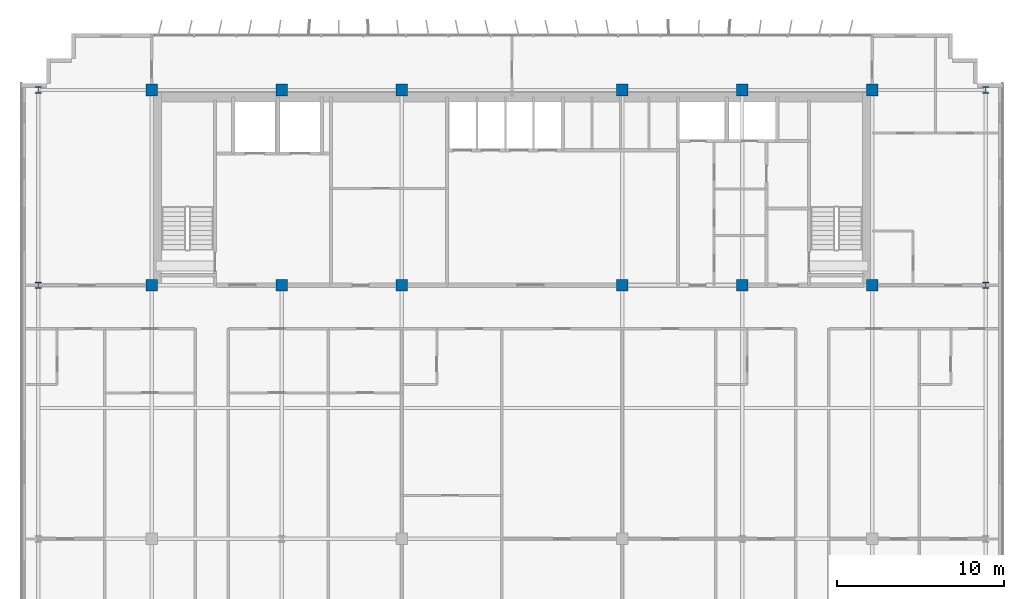
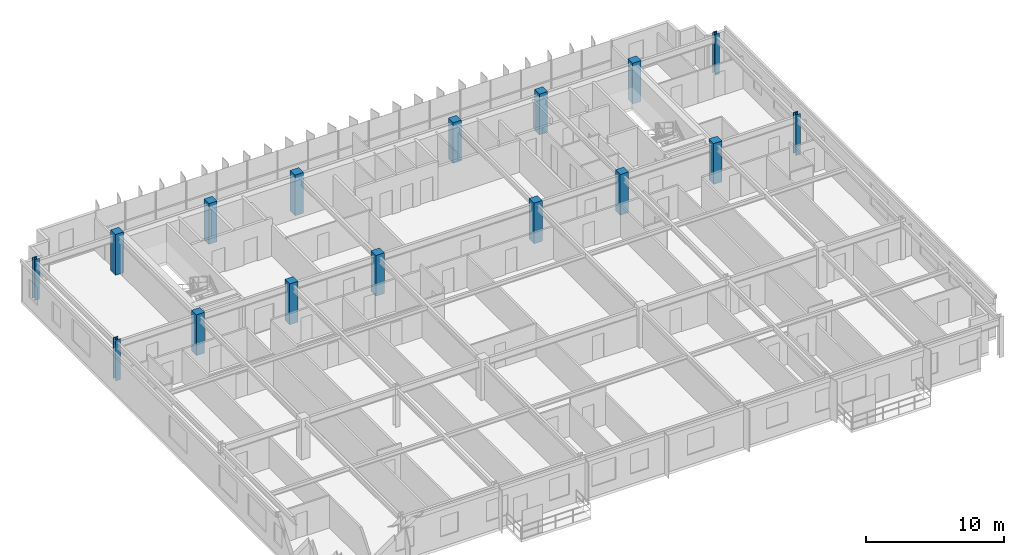
# One storey, part 2 of 21: 16 columns.
"""IFC4 building model written with IfcOpenShell, lengths in metres."""

from ifc_helpers import new_model, si_unit, direction, frame, origin, origin_2d, place, context, subcontext, project, spatial, rectangle, i_section, extrude, source, transform, mapped, material, material_profile, profile_set, type_object, element, save


model = new_model("IFC4")

# Units and contexts
model_context = context("Model", 3, precision=1e-05, world=origin(), true_north=direction((0.0, 1.0)))
body_context = subcontext(model_context, "Body", "Model", "MODEL_VIEW")
ifc_project = project(units=[si_unit("LENGTHUNIT", "METRE"), si_unit("AREAUNIT", "SQUARE_METRE"), si_unit("VOLUMEUNIT", "CUBIC_METRE"), si_unit("PLANEANGLEUNIT", "RADIAN"), si_unit("MASSUNIT", "GRAM", prefix="KILO")], contexts=[model_context])

# Site, building, storey
site_placement = place(None, origin())
site = spatial("IfcSite", under=ifc_project, at=site_placement, CompositionType="ELEMENT")
building_placement = place(site_placement, origin())
building = spatial("IfcBuilding", under=site, at=building_placement, Name="Trelvane Seafront Commons", CompositionType="ELEMENT")
storey_placement = place(building_placement, frame((0.0, 0.0, 153.699951171875)))
storey = spatial("IfcBuildingStorey", under=building, at=storey_placement, Name="L40", CompositionType="ELEMENT", Elevation=153.699951171875)

# Columns
ifc_material_1 = material(Name="Steel SM355 (S355)", Category="steel")
ifc_material_profile_1 = material_profile(ifc_material_1, i_section(OverallWidth=0.3798828125, OverallDepth=0.3798828125, WebThickness=0.02001953125, FlangeThickness=0.030029296875, at=origin_2d()), Name="HD-380x380x20x30")
ifc_profile_set_1 = profile_set([ifc_material_profile_1], Name="Steel SM355 (S355)")
column_type_1 = type_object("IfcColumnType", Name="STR-COL-HD380", PredefinedType="COLUMN", material=ifc_profile_set_1)
shared_shape_1 = source(origin(), body_context, "Body", "SweptSolid", [
    extrude(i_section(OverallWidth=0.3798828125, OverallDepth=0.3798828125, WebThickness=0.02001953125, FlangeThickness=0.030029296875, at=origin_2d()), origin(), (0.0, 0.0, 1.0), 3.60009765625),
])
for number, where, z_axis, x_axis, name in (
    (1, (8.800048828125, 33.39990234375, 0.0), (0.0, 0.0, 1.0), (1.0, 0.0, 0.0), "L40 Column TC-CS8.8"),
    (2, (8.800048828125, 45.10009765625, 0.0), (0.0, 0.0, 1.0), (1.0, 0.0, 0.0), "L40 Column TC-CN8.8"),
    (3, (65.60009765625, 33.39990234375, 0.0), (0.0, 0.0, 1.0), (1.0, 0.0, 0.0), "L40 Column TC-CS65.6"),
    (4, (65.60009765625, 45.10009765625, 0.0), (0.0, 0.0, 1.0), (1.0, 0.0, 0.0), "L40 Column TC-CN65.6"),
):
    element("IfcColumn", number, at=place(storey_placement, frame(where, z_axis=z_axis, x_axis=x_axis)), inside=storey, type_object=column_type_1, Name=name, PredefinedType="COLUMN", context=body_context, shape_type="MappedRepresentation", body=[
        mapped(shared_shape_1, transform((0.0, 0.0, 0.0), x_axis=(1.0, 0.0, 0.0), y_axis=(0.0, 1.0, 0.0), z_axis=(0.0, 0.0, 1.0), scale=1.0)),
    ])
ifc_material_2 = material(Name="Concrete C50/60", Category="concrete")
ifc_material_profile_2 = material_profile(ifc_material_2, rectangle(XDim=0.699951171875, YDim=0.699951171875, at=origin_2d()), Name="RC-700x700")
ifc_profile_set_2 = profile_set([ifc_material_profile_2], Name="Concrete C50/60")
column_type_2 = type_object("IfcColumnType", Name="STR-COL-RC700", PredefinedType="COLUMN", material=ifc_profile_set_2)
shared_shape_2 = source(origin(), body_context, "Body", "SweptSolid", [
    extrude(rectangle(XDim=0.699951171875, YDim=0.699951171875, at=origin_2d()), origin(), (0.0, 0.0, 1.0), 3.60009765625),
])
for number, where, z_axis, x_axis, name in (
    (5, (15.60009765625, 33.39990234375, 0.0), (0.0, 0.0, 1.0), (1.0, 0.0, 0.0), "L40 Column TC-CS15.6"),
    (6, (15.60009765625, 45.10009765625, 0.0), (0.0, 0.0, 1.0), (1.0, 0.0, 0.0), "L40 Column TC-CN15.6"),
    (7, (23.39990234375, 33.39990234375, 0.0), (0.0, 0.0, 1.0), (1.0, 0.0, 0.0), "L40 Column TC-CS23.4"),
    (8, (23.39990234375, 45.10009765625, 0.0), (0.0, 0.0, 1.0), (1.0, 0.0, 0.0), "L40 Column TC-CN23.4"),
    (9, (30.60009765625, 33.39990234375, 0.0), (0.0, 0.0, 1.0), (1.0, 0.0, 0.0), "L40 Column TC-CS30.6"),
    (10, (30.60009765625, 45.10009765625, 0.0), (0.0, 0.0, 1.0), (1.0, 0.0, 0.0), "L40 Column TC-CN30.6"),
    (11, (43.800048828125, 33.39990234375, 0.0), (0.0, 0.0, 1.0), (1.0, 0.0, 0.0), "L40 Column TC-CS43.8"),
    (12, (43.800048828125, 45.10009765625, 0.0), (0.0, 0.0, 1.0), (1.0, 0.0, 0.0), "L40 Column TC-CN43.8"),
    (13, (51.0, 33.39990234375, 0.0), (0.0, 0.0, 1.0), (1.0, 0.0, 0.0), "L40 Column TC-CS51.0"),
    (14, (51.0, 45.10009765625, 0.0), (0.0, 0.0, 1.0), (1.0, 0.0, 0.0), "L40 Column TC-CN51.0"),
    (15, (58.800048828125, 33.39990234375, 0.0), (0.0, 0.0, 1.0), (1.0, 0.0, 0.0), "L40 Column TC-CS58.8"),
    (16, (58.800048828125, 45.10009765625, 0.0), (0.0, 0.0, 1.0), (1.0, 0.0, 0.0), "L40 Column TC-CN58.8"),
):
    element("IfcColumn", number, at=place(storey_placement, frame(where, z_axis=z_axis, x_axis=x_axis)), inside=storey, type_object=column_type_2, Name=name, PredefinedType="COLUMN", context=body_context, shape_type="MappedRepresentation", body=[
        mapped(shared_shape_2, transform((0.0, 0.0, 0.0), x_axis=(1.0, 0.0, 0.0), y_axis=(0.0, 1.0, 0.0), z_axis=(0.0, 0.0, 1.0), scale=1.0)),
    ])

save(model, "model.ifc")
